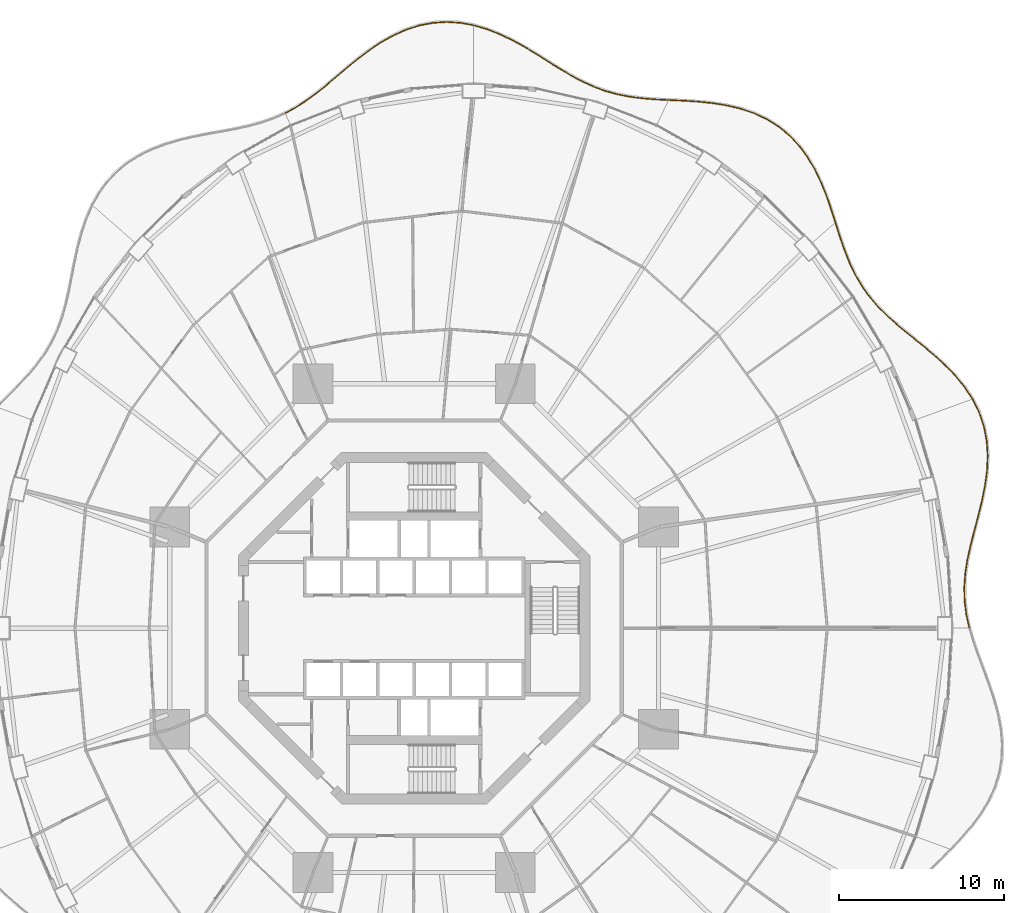
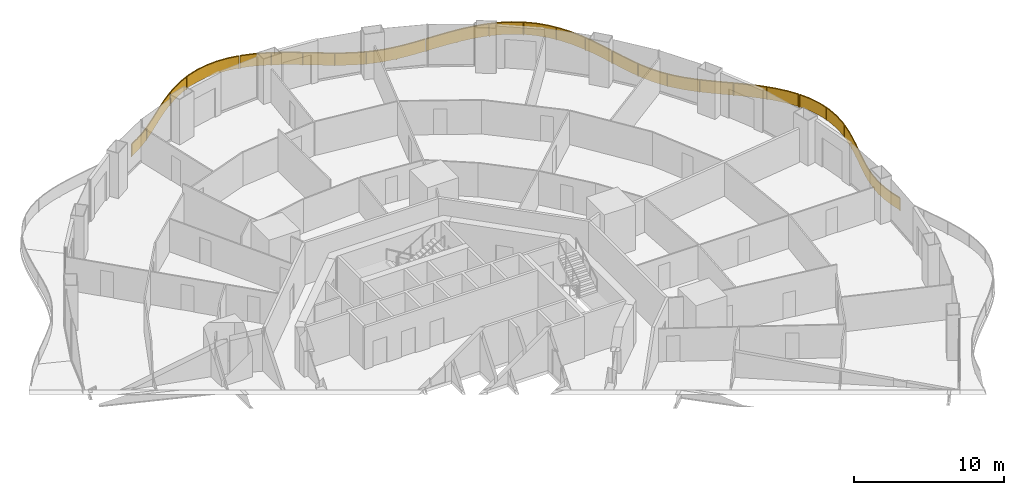
# One storey, part 22 of 22: 5 railings.
"""IFC4 building model written with IfcOpenShell, lengths in metres."""

from ifc_helpers import new_model, si_unit, direction, frame, origin, origin_2d, place, context, subcontext, project, spatial, polyline, rectangle, outline, extrude, material, type_object, element, save


model = new_model("IFC4")

# Units and contexts
model_context = context("Model", 3, precision=1e-05, world=origin(), true_north=direction((0.0, 1.0)))
body_context = subcontext(model_context, "Body", "Model", "MODEL_VIEW")
ifc_project = project(units=[si_unit("LENGTHUNIT", "METRE"), si_unit("AREAUNIT", "SQUARE_METRE"), si_unit("VOLUMEUNIT", "CUBIC_METRE"), si_unit("PLANEANGLEUNIT", "RADIAN"), si_unit("MASSUNIT", "GRAM", prefix="KILO")], contexts=[model_context])

# Site, building, storey
site_placement = place(None, origin())
site = spatial("IfcSite", under=ifc_project, at=site_placement, CompositionType="ELEMENT")
building_placement = place(site_placement, origin())
building = spatial("IfcBuilding", under=site, at=building_placement, Name="Nagisa Residences", CompositionType="ELEMENT")
storey_placement = place(building_placement, frame((0.0, 0.0, 41.800048828125)))
storey = spatial("IfcBuildingStorey", under=building, at=storey_placement, Name="L09", CompositionType="ELEMENT", Elevation=41.800048828125)

# Railings
ifc_material = material(Name="Stainless steel 316", Category="steel")
railing_type = type_object("IfcRailingType", Name="BALCONY GUARD 1100", PredefinedType="BALUSTRADE", material=ifc_material)
railing_1_placement = place(storey_placement, frame((33.577880859375, 0.034912109375, 0.0)))
element("IfcRailing", 1, at=railing_1_placement, inside=storey, type_object=railing_type, Name="guard:L09:bal00-0", PredefinedType="BALUSTRADE", context=body_context, shape_type="SweptSolid", body=[
    extrude(outline(polyline([(-0.1982421875, 0.779052734375), (-0.0244140625, -0.00537109375), (0.0244140625, 0.00537109375), (-0.14892578125, 0.787841796875), (-0.25390625, 1.60693359375), (-0.2763671875, 2.42822265625), (-0.21875, 3.25830078125), (-0.089111328125, 4.101806640625), (0.099365234375, 4.94921875), (0.3232421875, 5.830078125), (0.560791015625, 6.7294921875), (0.7861328125, 7.644287109375), (0.972900390625, 8.569091796875), (1.10009765625, 9.483154296875), (1.139892578125, 10.404541015625), (1.078857421875, 11.310546875), (0.90625, 12.19140625), (0.61865234375, 13.03857421875), (0.238525390625, 13.802001953125), (0.193603515625, 13.779541015625), (0.572265625, 13.01904296875), (0.85791015625, 12.1787109375), (1.029052734375, 11.30419921875), (1.089599609375, 10.404052734375), (1.05029296875, 9.487548828125), (0.923583984375, 8.577392578125), (0.7373046875, 7.655029296875), (0.512451171875, 6.74169921875), (0.27490234375, 5.8427734375), (0.050537109375, 4.9609375), (-0.138427734375, 4.111083984375), (-0.2685546875, 3.263671875), (-0.32666015625, 2.42919921875), (-0.3037109375, 1.60302734375), (-0.1982421875, 0.779052734375)])), frame((0.0, 0.0, 1.050048828125)), (0.0, 0.0, 1.0), 0.050048828125),
    extrude(outline(polyline([(-0.180419921875, 0.7822265625), (-0.0068359375, -0.00146484375), (0.0068359375, 0.00146484375), (-0.166748046875, 0.78466796875), (-0.271728515625, 1.60546875), (-0.29443359375, 2.428466796875), (-0.236572265625, 3.26025390625), (-0.10693359375, 4.105224609375), (0.081787109375, 4.953369140625), (0.305908203125, 5.834716796875), (0.54345703125, 6.73388671875), (0.7685546875, 7.648193359375), (0.955078125, 8.572021484375), (1.082275390625, 9.484619140625), (1.121826171875, 10.404296875), (1.060791015625, 11.308349609375), (0.888916015625, 12.186767578125), (0.60205078125, 13.031494140625), (0.222412109375, 13.7939453125), (0.209716796875, 13.78759765625), (0.5888671875, 13.026123046875), (0.875244140625, 12.183349609375), (1.047119140625, 11.306396484375), (1.107666015625, 10.404296875), (1.068115234375, 9.486083984375), (0.94140625, 8.574462890625), (0.7548828125, 7.651123046875), (0.52978515625, 6.7373046875), (0.292236328125, 5.838134765625), (0.068115234375, 4.956787109375), (-0.12060546875, 4.107666015625), (-0.250732421875, 3.26171875), (-0.30859375, 2.428955078125), (-0.285888671875, 1.6044921875), (-0.180419921875, 0.7822265625)])), frame((0.0, 0.0, 0.06005859375)), (0.0, 0.0, 1.0), 0.989990234375),
    extrude(rectangle(XDim=0.0400390625, YDim=0.0400390625, at=origin_2d()), origin(), (0.0, 0.0, 1.0), 1.050048828125),
    extrude(rectangle(XDim=0.0400390625, YDim=0.0400390625, at=origin_2d()), frame((-0.298828125, 2.3271484375, 0.0)), (0.0, 0.0, 1.0), 1.050048828125),
    extrude(rectangle(XDim=0.0400390625, YDim=0.0400390625, at=origin_2d()), frame((0.00830078125, 4.655029296875, 0.0)), (0.0, 0.0, 1.0), 1.050048828125),
    extrude(rectangle(XDim=0.0400390625, YDim=0.0400390625, at=origin_2d()), frame((0.5859375, 6.93603515625, 0.0)), (0.0, 0.0, 1.0), 1.050048828125),
    extrude(rectangle(XDim=0.0400390625, YDim=0.0400390625, at=origin_2d()), frame((1.04150390625, 9.242919921875, 0.0)), (0.0, 0.0, 1.0), 1.050048828125),
    extrude(rectangle(XDim=0.0400390625, YDim=0.0400390625, at=origin_2d()), frame((0.99951171875, 11.58544921875, 0.0)), (0.0, 0.0, 1.0), 1.050048828125),
    extrude(rectangle(XDim=0.0400390625, YDim=0.0400390625, at=origin_2d()), frame((0.216064453125, 13.790771484375, 0.0)), (0.0, 0.0, 1.0), 1.050048828125),
])
railing_2_placement = place(storey_placement, frame((33.755126953125, 13.892578125, 0.0)))
element("IfcRailing", 2, at=railing_2_placement, inside=storey, type_object=railing_type, Name="guard:L09:bal01-0", PredefinedType="BALUSTRADE", context=body_context, shape_type="SweptSolid", body=[
    extrude(outline(polyline([(-0.48095703125, 0.6826171875), (-0.02099609375, -0.013671875), (0.02099609375, 0.013671875), (-0.4404296875, 0.71240234375), (-1.009765625, 1.407470703125), (-1.64453125, 2.061767578125), (-2.32373046875, 2.67919921875), (-3.025146484375, 3.267822265625), (-3.72021484375, 3.824462890625), (-4.40185546875, 4.38623046875), (-5.04541015625, 4.95263671875), (-5.6376953125, 5.53564453125), (-6.169921875, 6.146240234375), (-6.630126953125, 6.781005859375), (-7.03759765625, 7.471435546875), (-7.390625, 8.2080078125), (-7.701171875, 8.989501953125), (-7.984130859375, 9.810546875), (-8.2412109375, 10.619873046875), (-8.2890625, 10.604736328125), (-8.031494140625, 9.794921875), (-7.748046875, 8.971923828125), (-7.4365234375, 8.18798828125), (-7.08203125, 7.447998046875), (-6.672119140625, 6.753662109375), (-6.208984375, 6.114990234375), (-5.67431640625, 5.50146484375), (-5.07958984375, 4.916015625), (-4.43408203125, 4.34814453125), (-3.751953125, 3.785400390625), (-3.056884765625, 3.229248046875), (-2.3564453125, 2.6416015625), (-1.67919921875, 2.025634765625), (-1.04736328125, 1.374267578125), (-0.48095703125, 0.6826171875)])), frame((0.0, 0.0, 1.050048828125)), (0.0, 0.0, 1.0), 0.050048828125),
    extrude(outline(polyline([(-0.46630859375, 0.693359375), (-0.005859375, -0.00390625), (0.005859375, 0.00390625), (-0.455078125, 0.70166015625), (-1.0234375, 1.3955078125), (-1.656982421875, 2.048828125), (-2.33544921875, 2.665771484375), (-3.03662109375, 3.25390625), (-3.731689453125, 3.810302734375), (-4.413330078125, 4.37255859375), (-5.0576171875, 4.939453125), (-5.65087890625, 5.5234375), (-6.18408203125, 6.135009765625), (-6.645263671875, 6.771240234375), (-7.0537109375, 7.463134765625), (-7.4072265625, 8.200927734375), (-7.718017578125, 8.983154296875), (-8.001220703125, 9.804931640625), (-8.258544921875, 10.614501953125), (-8.271728515625, 10.610107421875), (-8.014404296875, 9.800537109375), (-7.731201171875, 8.978271484375), (-7.419921875, 8.195068359375), (-7.06591796875, 7.456298828125), (-6.656982421875, 6.763427734375), (-6.19482421875, 6.126220703125), (-5.6611328125, 5.513671875), (-5.0673828125, 4.92919921875), (-4.422607421875, 4.36181640625), (-3.740478515625, 3.799560546875), (-3.04541015625, 3.2431640625), (-2.3447265625, 2.655029296875), (-1.666748046875, 2.03857421875), (-1.03369140625, 1.38623046875), (-0.46630859375, 0.693359375)])), frame((0.0, 0.0, 0.06005859375)), (0.0, 0.0, 1.0), 0.989990234375),
    extrude(rectangle(XDim=0.0400390625, YDim=0.0400390625, at=origin_2d()), origin(), (0.0, 0.0, 1.0), 1.050048828125),
    extrude(rectangle(XDim=0.0400390625, YDim=0.0400390625, at=origin_2d()), frame((-1.414794921875, 1.7890625, 0.0)), (0.0, 0.0, 1.0), 1.050048828125),
    extrude(rectangle(XDim=0.0400390625, YDim=0.0400390625, at=origin_2d()), frame((-3.119384765625, 3.311279296875, 0.0)), (0.0, 0.0, 1.0), 1.050048828125),
    extrude(rectangle(XDim=0.0400390625, YDim=0.0400390625, at=origin_2d()), frame((-4.878173828125, 4.772216796875, 0.0)), (0.0, 0.0, 1.0), 1.050048828125),
    extrude(rectangle(XDim=0.0400390625, YDim=0.0400390625, at=origin_2d()), frame((-6.42236328125, 6.45166015625, 0.0)), (0.0, 0.0, 1.0), 1.050048828125),
    extrude(rectangle(XDim=0.0400390625, YDim=0.0400390625, at=origin_2d()), frame((-7.514892578125, 8.452880859375, 0.0)), (0.0, 0.0, 1.0), 1.050048828125),
    extrude(rectangle(XDim=0.0400390625, YDim=0.0400390625, at=origin_2d()), frame((-8.26513671875, 10.6123046875, 0.0)), (0.0, 0.0, 1.0), 1.050048828125),
])
railing_3_placement = place(storey_placement, frame((25.46826171875, 24.57763671875, 0.0)))
element("IfcRailing", 3, at=railing_3_placement, inside=storey, type_object=railing_type, Name="guard:L09:bal02-0", PredefinedType="BALUSTRADE", context=body_context, shape_type="SweptSolid", body=[
    extrude(outline(polyline([(-0.275390625, 0.777587890625), (-0.02392578125, -0.007568359375), (0.02392578125, 0.007568359375), (-0.22802734375, 0.793701171875), (-0.520263671875, 1.623779296875), (-0.851806640625, 2.441650390625), (-1.235595703125, 3.230224609375), (-1.680908203125, 3.974365234375), (-2.1826171875, 4.649169921875), (-2.767578125, 5.263671875), (-3.42236328125, 5.7978515625), (-4.141845703125, 6.245849609375), (-4.918212890625, 6.607421875), (-5.727294921875, 6.876953125), (-6.582275390625, 7.078125), (-7.458740234375, 7.215576171875), (-8.3427734375, 7.303466796875), (-9.222412109375, 7.358642578125), (-10.04296875, 7.3955078125), (-10.04541015625, 7.345703125), (-9.225341796875, 7.308837890625), (-8.3466796875, 7.253662109375), (-7.465087890625, 7.165771484375), (-6.592041015625, 7.02880859375), (-5.740966796875, 6.82861328125), (-4.936767578125, 6.56103515625), (-4.165771484375, 6.201904296875), (-3.45166015625, 5.7568359375), (-2.8017578125, 5.22705078125), (-2.22119140625, 4.616943359375), (-1.722412109375, 3.946533203125), (-1.279541015625, 3.206298828125), (-0.897705078125, 2.421142578125), (-0.567138671875, 1.606201171875), (-0.275390625, 0.777587890625)])), frame((0.0, 0.0, 1.050048828125)), (0.0, 0.0, 1.0), 0.050048828125),
    extrude(outline(polyline([(-0.25830078125, 0.783447265625), (-0.006591796875, -0.002197265625), (0.006591796875, 0.002197265625), (-0.2451171875, 0.787841796875), (-0.537109375, 1.617431640625), (-0.868408203125, 2.434326171875), (-1.25146484375, 3.2216796875), (-1.69580078125, 3.96435546875), (-2.196533203125, 4.6376953125), (-2.77978515625, 5.25048828125), (-3.432861328125, 5.782958984375), (-4.150390625, 6.22998046875), (-4.9248046875, 6.5908203125), (-5.732177734375, 6.859619140625), (-6.585693359375, 7.060302734375), (-7.4609375, 7.197509765625), (-8.34423828125, 7.28564453125), (-9.223388671875, 7.3408203125), (-10.0439453125, 7.377685546875), (-10.04443359375, 7.363525390625), (-9.224365234375, 7.32666015625), (-8.34521484375, 7.271484375), (-7.462890625, 7.183837890625), (-6.588623046875, 7.046630859375), (-5.736083984375, 6.845947265625), (-4.93017578125, 6.57763671875), (-4.1572265625, 6.2177734375), (-3.441162109375, 5.771728515625), (-2.78955078125, 5.240234375), (-2.207275390625, 4.62841796875), (-1.70751953125, 3.95654296875), (-1.263671875, 3.21484375), (-0.881103515625, 2.428466796875), (-0.55029296875, 1.612548828125), (-0.25830078125, 0.783447265625)])), frame((0.0, 0.0, 0.06005859375)), (0.0, 0.0, 1.0), 0.989990234375),
    extrude(rectangle(XDim=0.0400390625, YDim=0.0400390625, at=origin_2d()), origin(), (0.0, 0.0, 1.0), 1.050048828125),
    extrude(rectangle(XDim=0.0400390625, YDim=0.0400390625, at=origin_2d()), frame((-0.764404296875, 2.159423828125, 0.0)), (0.0, 0.0, 1.0), 1.050048828125),
    extrude(rectangle(XDim=0.0400390625, YDim=0.0400390625, at=origin_2d()), frame((-1.855712890625, 4.16748046875, 0.0)), (0.0, 0.0, 1.0), 1.050048828125),
    extrude(rectangle(XDim=0.0400390625, YDim=0.0400390625, at=origin_2d()), frame((-3.457763671875, 5.790283203125, 0.0)), (0.0, 0.0, 1.0), 1.050048828125),
    extrude(rectangle(XDim=0.0400390625, YDim=0.0400390625, at=origin_2d()), frame((-5.513916015625, 6.779541015625, 0.0)), (0.0, 0.0, 1.0), 1.050048828125),
    extrude(rectangle(XDim=0.0400390625, YDim=0.0400390625, at=origin_2d()), frame((-7.758056640625, 7.22021484375, 0.0)), (0.0, 0.0, 1.0), 1.050048828125),
    extrude(rectangle(XDim=0.0400390625, YDim=0.0400390625, at=origin_2d()), frame((-10.044189453125, 7.37060546875, 0.0)), (0.0, 0.0, 1.0), 1.050048828125),
])
railing_4_placement = place(storey_placement, frame((15.348876953125, 31.9501953125, 0.0)))
element("IfcRailing", 4, at=railing_4_placement, inside=storey, type_object=railing_type, Name="guard:L09:bal03-0", PredefinedType="BALUSTRADE", context=body_context, shape_type="SweptSolid", body=[
    extrude(outline(polyline([(-0.77001953125, 0.0146484375), (-0.001220703125, -0.02490234375), (0.001220703125, 0.02490234375), (-0.7666015625, 0.064453125), (-1.554931640625, 0.12890625), (-2.31689453125, 0.2275390625), (-3.052490234375, 0.371337890625), (-3.765380859375, 0.56787109375), (-4.44384765625, 0.816162109375), (-5.128173828125, 1.12548828125), (-5.80859375, 1.486083984375), (-6.492431640625, 1.88916015625), (-7.186767578125, 2.3212890625), (-7.8798828125, 2.76416015625), (-8.611083984375, 3.205322265625), (-9.364501953125, 3.62255859375), (-10.140869140625, 3.9970703125), (-10.938232421875, 4.310791015625), (-11.70458984375, 4.5361328125), (-11.71875, 4.48828125), (-10.954345703125, 4.263427734375), (-10.160888671875, 3.951171875), (-9.387451171875, 3.578125), (-8.635986328125, 3.161865234375), (-7.90625, 2.7216796875), (-7.213623046875, 2.27880859375), (-6.518310546875, 1.84619140625), (-5.8330078125, 1.442626953125), (-5.150146484375, 1.08056640625), (-4.462890625, 0.769775390625), (-3.780517578125, 0.52001953125), (-3.063720703125, 0.322509765625), (-2.32470703125, 0.17822265625), (-1.560302734375, 0.0791015625), (-0.77001953125, 0.0146484375)])), frame((0.0, 0.0, 1.050048828125)), (0.0, 0.0, 1.0), 0.050048828125),
    extrude(outline(polyline([(-0.768798828125, 0.032470703125), (-0.000244140625, -0.007080078125), (0.000244140625, 0.007080078125), (-0.767822265625, 0.046630859375), (-1.556884765625, 0.111083984375), (-2.319580078125, 0.209716796875), (-3.056396484375, 0.353759765625), (-3.770751953125, 0.550537109375), (-4.45068359375, 0.799560546875), (-5.135986328125, 1.109375), (-5.8173828125, 1.470458984375), (-6.501708984375, 1.873779296875), (-7.196533203125, 2.305908203125), (-7.889404296875, 2.748779296875), (-8.6201171875, 3.189697265625), (-9.372802734375, 3.6064453125), (-10.148193359375, 3.98046875), (-10.944091796875, 4.293701171875), (-11.709716796875, 4.51904296875), (-11.713623046875, 4.50537109375), (-10.948486328125, 4.280517578125), (-10.153564453125, 3.9677734375), (-9.379150390625, 3.59423828125), (-8.626953125, 3.177490234375), (-7.896728515625, 2.737060546875), (-7.203857421875, 2.294189453125), (-6.509033203125, 1.861572265625), (-5.82421875, 1.458251953125), (-5.142333984375, 1.0966796875), (-4.4560546875, 0.786376953125), (-3.775146484375, 0.537353515625), (-3.059814453125, 0.340087890625), (-2.322021484375, 0.196044921875), (-1.558349609375, 0.096923828125), (-0.768798828125, 0.032470703125)])), frame((0.0, 0.0, 0.06005859375)), (0.0, 0.0, 1.0), 0.989990234375),
    extrude(rectangle(XDim=0.0400390625, YDim=0.0400390625, at=origin_2d()), origin(), (0.0, 0.0, 1.0), 1.050048828125),
    extrude(rectangle(XDim=0.0400390625, YDim=0.0400390625, at=origin_2d()), frame((-2.114013671875, 0.176025390625, 0.0)), (0.0, 0.0, 1.0), 1.050048828125),
    extrude(rectangle(XDim=0.0400390625, YDim=0.0400390625, at=origin_2d()), frame((-4.168212890625, 0.688720703125, 0.0)), (0.0, 0.0, 1.0), 1.050048828125),
    extrude(rectangle(XDim=0.0400390625, YDim=0.0400390625, at=origin_2d()), frame((-6.07470703125, 1.61376953125, 0.0)), (0.0, 0.0, 1.0), 1.050048828125),
    extrude(rectangle(XDim=0.0400390625, YDim=0.0400390625, at=origin_2d()), frame((-7.877685546875, 2.73291015625, 0.0)), (0.0, 0.0, 1.0), 1.050048828125),
    extrude(rectangle(XDim=0.0400390625, YDim=0.0400390625, at=origin_2d()), frame((-9.727783203125, 3.77001953125, 0.0)), (0.0, 0.0, 1.0), 1.050048828125),
    extrude(rectangle(XDim=0.0400390625, YDim=0.0400390625, at=origin_2d()), frame((-11.711669921875, 4.51220703125, 0.0)), (0.0, 0.0, 1.0), 1.050048828125),
])
railing_5_placement = place(storey_placement, frame((3.56201171875, 36.480712890625, 0.0)))
element("IfcRailing", 5, at=railing_5_placement, inside=storey, type_object=railing_type, Name="guard:L09:bal04-0", PredefinedType="BALUSTRADE", context=body_context, shape_type="SweptSolid", body=[
    extrude(outline(polyline([(-0.7783203125, 0.11572265625), (-0.00439453125, -0.024658203125), (0.00439453125, 0.024658203125), (-0.7724609375, 0.16552734375), (-1.60205078125, 0.215576171875), (-2.42822265625, 0.162841796875), (-3.24365234375, 0.0078125), (-4.04052734375, -0.244384765625), (-4.798095703125, -0.582275390625), (-5.544921875, -0.99755859375), (-6.2626953125, -1.472412109375), (-6.95166015625, -1.98828125), (-7.61474609375, -2.52685546875), (-8.23974609375, -3.06396484375), (-8.86669921875, -3.592529296875), (-9.487060546875, -4.091796875), (-10.108642578125, -4.550048828125), (-10.740478515625, -4.958251953125), (-11.353515625, -5.29248046875), (-11.32958984375, -5.33642578125), (-10.715087890625, -5.001220703125), (-10.080322265625, -4.591064453125), (-9.456298828125, -4.13134765625), (-8.8349609375, -3.631103515625), (-8.20751953125, -3.10205078125), (-7.58251953125, -2.5654296875), (-6.9208984375, -2.02783203125), (-6.23388671875, -1.513427734375), (-5.51904296875, -1.04052734375), (-4.775634765625, -0.627197265625), (-4.02294921875, -0.291259765625), (-3.2314453125, -0.041015625), (-2.421875, 0.113037109375), (-1.60205078125, 0.165283203125), (-0.7783203125, 0.11572265625)])), frame((0.0, 0.0, 1.050048828125)), (0.0, 0.0, 1.0), 0.050048828125),
    extrude(outline(polyline([(-0.776123046875, 0.133544921875), (-0.001220703125, -0.0068359375), (0.001220703125, 0.0068359375), (-0.774658203125, 0.147705078125), (-1.60205078125, 0.197509765625), (-2.426025390625, 0.14501953125), (-3.2392578125, -0.009765625), (-4.0341796875, -0.26123046875), (-4.7900390625, -0.598388671875), (-5.53564453125, -1.012939453125), (-6.25244140625, -1.4873046875), (-6.940673828125, -2.00244140625), (-7.60302734375, -2.540771484375), (-8.228271484375, -3.07763671875), (-8.855224609375, -3.6064453125), (-9.47607421875, -4.10595703125), (-10.098388671875, -4.564697265625), (-10.7314453125, -4.9736328125), (-11.344970703125, -5.308349609375), (-11.338134765625, -5.320556640625), (-10.72412109375, -4.98583984375), (-10.090576171875, -4.576416015625), (-9.46728515625, -4.1171875), (-8.846435546875, -3.6171875), (-8.218994140625, -3.08837890625), (-7.59423828125, -2.551513671875), (-6.931884765625, -2.013671875), (-6.244140625, -1.49853515625), (-5.5283203125, -1.025146484375), (-4.78369140625, -0.611083984375), (-4.029296875, -0.2744140625), (-3.23583984375, -0.0234375), (-2.424072265625, 0.130859375), (-1.60205078125, 0.183349609375), (-0.776123046875, 0.133544921875)])), frame((0.0, 0.0, 0.06005859375)), (0.0, 0.0, 1.0), 0.989990234375),
    extrude(rectangle(XDim=0.0400390625, YDim=0.0400390625, at=origin_2d()), origin(), (0.0, 0.0, 1.0), 1.050048828125),
    extrude(rectangle(XDim=0.0400390625, YDim=0.0400390625, at=origin_2d()), frame((-2.15478515625, 0.1552734375, 0.0)), (0.0, 0.0, 1.0), 1.050048828125),
    extrude(rectangle(XDim=0.0400390625, YDim=0.0400390625, at=origin_2d()), frame((-4.25, -0.365234375, 0.0)), (0.0, 0.0, 1.0), 1.050048828125),
    extrude(rectangle(XDim=0.0400390625, YDim=0.0400390625, at=origin_2d()), frame((-6.140625, -1.421630859375, 0.0)), (0.0, 0.0, 1.0), 1.050048828125),
    extrude(rectangle(XDim=0.0400390625, YDim=0.0400390625, at=origin_2d()), frame((-7.847412109375, -2.759765625, 0.0)), (0.0, 0.0, 1.0), 1.050048828125),
    extrude(rectangle(XDim=0.0400390625, YDim=0.0400390625, at=origin_2d()), frame((-9.517333984375, -4.145263671875, 0.0)), (0.0, 0.0, 1.0), 1.050048828125),
    extrude(rectangle(XDim=0.0400390625, YDim=0.0400390625, at=origin_2d()), frame((-11.341552734375, -5.314453125, 0.0)), (0.0, 0.0, 1.0), 1.050048828125),
])

save(model, "model.ifc")
